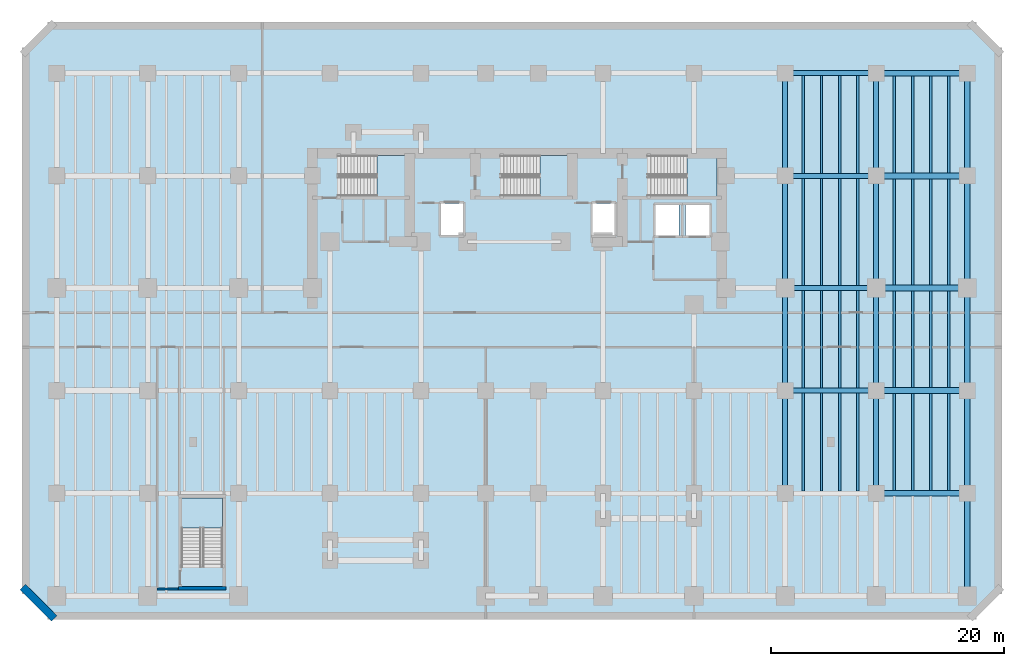
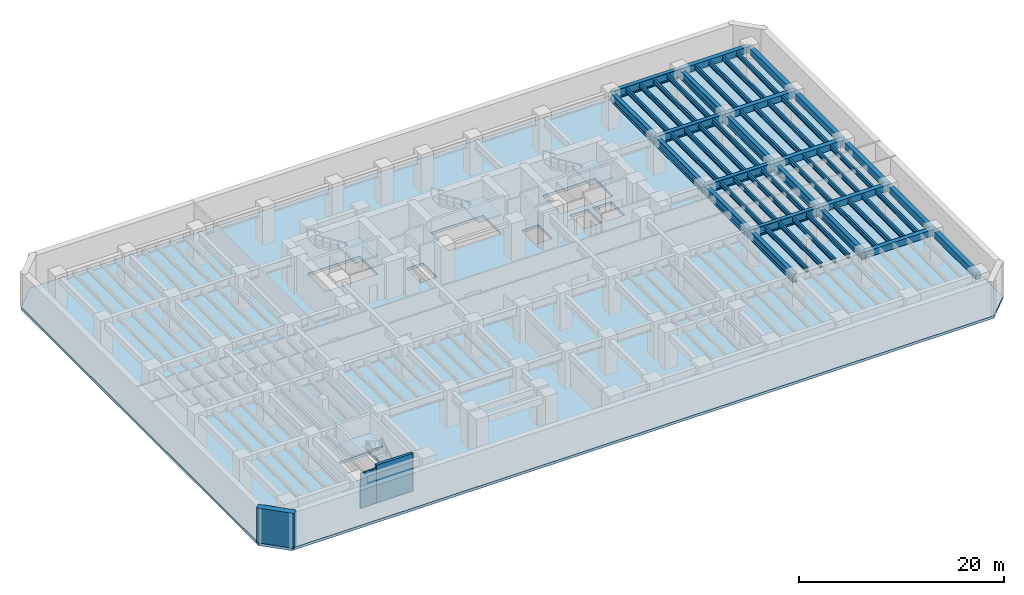
# One storey, part 3 of 9: 54 beams, 5 slabs, 3 walls, 4 elements without a shape of their own.
"""IFC4 building model written with IfcOpenShell, lengths in metres."""

from ifc_helpers import new_model, si_unit, direction, frame, frame_2d, origin, origin_2d, place, context, subcontext, project, spatial, polyline, rectangle, i_section, outline, extrude, material, layer, layer_set, material_profile, profile_set, type_object, element, aggregate, save


model = new_model("IFC4")

# Units and contexts
model_context = context("Model", 3, precision=1e-05, world=origin(), true_north=direction((0.0, 1.0)))
body_context = subcontext(model_context, "Body", "Model", "MODEL_VIEW")
ifc_project = project(units=[si_unit("LENGTHUNIT", "METRE"), si_unit("AREAUNIT", "SQUARE_METRE"), si_unit("VOLUMEUNIT", "CUBIC_METRE"), si_unit("PLANEANGLEUNIT", "RADIAN"), si_unit("MASSUNIT", "GRAM", prefix="KILO")], contexts=[model_context])

# Site, building, storey
site_placement = place(None, origin())
site = spatial("IfcSite", under=ifc_project, at=site_placement, CompositionType="ELEMENT")
building_placement = place(site_placement, origin())
building = spatial("IfcBuilding", under=site, at=building_placement, Name="Kestravale Grand Hotel", CompositionType="ELEMENT")
storey_placement = place(building_placement, frame((0.0, 0.0, -4.5)))
storey = spatial("IfcBuildingStorey", under=building, at=storey_placement, Name="B1", CompositionType="ELEMENT", Elevation=-4.5)

# Beams
ifc_material_1 = material(Name="Steel ASTM A992 Grade 50", Category="steel")
ifc_material_profile_1 = material_profile(ifc_material_1, i_section(OverallWidth=0.2099609375, OverallDepth=0.535888671875, WebThickness=0.010986328125, FlangeThickness=0.017333984375, FilletRadius=0.017578125, at=origin_2d()))
ifc_profile_set_1 = profile_set([ifc_material_profile_1], Name="Steel ASTM A992 Grade 50")
beam_type_1 = type_object("IfcBeamType", Name="B-FLR-JST21", PredefinedType="JOIST", material=ifc_profile_set_1)
for number, where, z_axis, x_axis, name in (
    (1, (63.9599609375, 11.41357421875, 3.882080078125), (0.0, 1.0, 0.0), (-1.0, 0.0, 0.0), "B1 floor joist 10-11/C-D #1"),
    (2, (65.52001953125, 11.41357421875, 3.882080078125), (0.0, 1.0, 0.0), (-1.0, 0.0, 0.0), "B1 floor joist 10-11/C-D #2"),
    (3, (67.080078125, 11.41357421875, 3.882080078125), (0.0, 1.0, 0.0), (-1.0, 0.0, 0.0), "B1 floor joist 10-11/C-D #3"),
    (4, (68.639892578125, 11.41357421875, 3.882080078125), (0.0, 1.0, 0.0), (-1.0, 0.0, 0.0), "B1 floor joist 10-11/C-D #4"),
    (5, (63.9599609375, 20.21337890625, 3.882080078125), (0.0, 1.0, 0.0), (-1.0, 0.0, 0.0), "B1 floor joist 10-11/D-E #1"),
    (6, (65.52001953125, 20.21337890625, 3.882080078125), (0.0, 1.0, 0.0), (-1.0, 0.0, 0.0), "B1 floor joist 10-11/D-E #2"),
    (7, (67.080078125, 20.21337890625, 3.882080078125), (0.0, 1.0, 0.0), (-1.0, 0.0, 0.0), "B1 floor joist 10-11/D-E #3"),
    (8, (68.639892578125, 20.21337890625, 3.882080078125), (0.0, 1.0, 0.0), (-1.0, 0.0, 0.0), "B1 floor joist 10-11/D-E #4"),
):
    element("IfcBeam", number, at=place(storey_placement, frame(where, z_axis=z_axis, x_axis=x_axis)), inside=storey, type_object=beam_type_1, Name=name, PredefinedType="JOIST", context=body_context, shape_type="SweptSolid", body=[
        extrude(i_section(OverallWidth=0.2099609375, OverallDepth=0.535888671875, WebThickness=0.010986328125, FlangeThickness=0.017333984375, FilletRadius=0.017578125, at=origin_2d()), origin(), (0.0, 0.0, 1.0), 8.373046875),
    ])
for number, where, z_axis, x_axis, name in (
    (9, (63.9599609375, 29.013427734375, 3.882080078125), (0.0, 1.0, 0.0), (-1.0, 0.0, 0.0), "B1 floor joist 10-11/E-F #1"),
    (10, (65.52001953125, 29.013427734375, 3.882080078125), (0.0, 1.0, 0.0), (-1.0, 0.0, 0.0), "B1 floor joist 10-11/E-F #2"),
    (11, (67.080078125, 29.013427734375, 3.882080078125), (0.0, 1.0, 0.0), (-1.0, 0.0, 0.0), "B1 floor joist 10-11/E-F #3"),
    (12, (68.639892578125, 29.013427734375, 3.882080078125), (0.0, 1.0, 0.0), (-1.0, 0.0, 0.0), "B1 floor joist 10-11/E-F #4"),
):
    element("IfcBeam", number, at=place(storey_placement, frame(where, z_axis=z_axis, x_axis=x_axis)), inside=storey, type_object=beam_type_1, Name=name, PredefinedType="JOIST", context=body_context, shape_type="SweptSolid", body=[
        extrude(i_section(OverallWidth=0.2099609375, OverallDepth=0.535888671875, WebThickness=0.010986328125, FlangeThickness=0.017333984375, FilletRadius=0.017578125, at=origin_2d()), origin(), (0.0, 0.0, 1.0), 9.173095703125),
    ])
for number, where, z_axis, x_axis, name in (
    (13, (63.9599609375, 38.613525390625, 3.882080078125), (0.0, 1.0, 0.0), (-1.0, 0.0, 0.0), "B1 floor joist 10-11/F-G #1"),
    (14, (65.52001953125, 38.613525390625, 3.882080078125), (0.0, 1.0, 0.0), (-1.0, 0.0, 0.0), "B1 floor joist 10-11/F-G #2"),
    (15, (67.080078125, 38.613525390625, 3.882080078125), (0.0, 1.0, 0.0), (-1.0, 0.0, 0.0), "B1 floor joist 10-11/F-G #3"),
    (16, (68.639892578125, 38.613525390625, 3.882080078125), (0.0, 1.0, 0.0), (-1.0, 0.0, 0.0), "B1 floor joist 10-11/F-G #4"),
):
    element("IfcBeam", number, at=place(storey_placement, frame(where, z_axis=z_axis, x_axis=x_axis)), inside=storey, type_object=beam_type_1, Name=name, PredefinedType="JOIST", context=body_context, shape_type="SweptSolid", body=[
        extrude(i_section(OverallWidth=0.2099609375, OverallDepth=0.535888671875, WebThickness=0.010986328125, FlangeThickness=0.017333984375, FilletRadius=0.017578125, at=origin_2d()), origin(), (0.0, 0.0, 1.0), 8.373046875),
    ])
for number, where, z_axis, x_axis, name in (
    (17, (71.760009765625, 11.449951171875, 3.882080078125), (0.0, 1.0, 0.0), (-1.0, 0.0, 0.0), "B1 floor joist 11-12/C-D #1"),
    (18, (73.320068359375, 11.449951171875, 3.882080078125), (0.0, 1.0, 0.0), (-1.0, 0.0, 0.0), "B1 floor joist 11-12/C-D #2"),
    (19, (74.8798828125, 11.449951171875, 3.882080078125), (0.0, 1.0, 0.0), (-1.0, 0.0, 0.0), "B1 floor joist 11-12/C-D #3"),
    (20, (76.43994140625, 11.449951171875, 3.882080078125), (0.0, 1.0, 0.0), (-1.0, 0.0, 0.0), "B1 floor joist 11-12/C-D #4"),
    (21, (71.760009765625, 20.25, 3.882080078125), (0.0, 1.0, 0.0), (-1.0, 0.0, 0.0), "B1 floor joist 11-12/D-E #1"),
    (22, (73.320068359375, 20.25, 3.882080078125), (0.0, 1.0, 0.0), (-1.0, 0.0, 0.0), "B1 floor joist 11-12/D-E #2"),
    (23, (74.8798828125, 20.25, 3.882080078125), (0.0, 1.0, 0.0), (-1.0, 0.0, 0.0), "B1 floor joist 11-12/D-E #3"),
    (24, (76.43994140625, 20.25, 3.882080078125), (0.0, 1.0, 0.0), (-1.0, 0.0, 0.0), "B1 floor joist 11-12/D-E #4"),
):
    element("IfcBeam", number, at=place(storey_placement, frame(where, z_axis=z_axis, x_axis=x_axis)), inside=storey, type_object=beam_type_1, Name=name, PredefinedType="JOIST", context=body_context, shape_type="SweptSolid", body=[
        extrude(i_section(OverallWidth=0.2099609375, OverallDepth=0.535888671875, WebThickness=0.010986328125, FlangeThickness=0.017333984375, FilletRadius=0.017578125, at=origin_2d()), origin(), (0.0, 0.0, 1.0), 8.300048828125),
    ])
for number, where, z_axis, x_axis, name in (
    (25, (71.760009765625, 29.050048828125, 3.882080078125), (0.0, 1.0, 0.0), (-1.0, 0.0, 0.0), "B1 floor joist 11-12/E-F #1"),
    (26, (73.320068359375, 29.050048828125, 3.882080078125), (0.0, 1.0, 0.0), (-1.0, 0.0, 0.0), "B1 floor joist 11-12/E-F #2"),
    (27, (74.8798828125, 29.050048828125, 3.882080078125), (0.0, 1.0, 0.0), (-1.0, 0.0, 0.0), "B1 floor joist 11-12/E-F #3"),
    (28, (76.43994140625, 29.050048828125, 3.882080078125), (0.0, 1.0, 0.0), (-1.0, 0.0, 0.0), "B1 floor joist 11-12/E-F #4"),
):
    element("IfcBeam", number, at=place(storey_placement, frame(where, z_axis=z_axis, x_axis=x_axis)), inside=storey, type_object=beam_type_1, Name=name, PredefinedType="JOIST", context=body_context, shape_type="SweptSolid", body=[
        extrude(i_section(OverallWidth=0.2099609375, OverallDepth=0.535888671875, WebThickness=0.010986328125, FlangeThickness=0.017333984375, FilletRadius=0.017578125, at=origin_2d()), origin(), (0.0, 0.0, 1.0), 9.099853515625),
    ])
for number, where, z_axis, x_axis, name in (
    (29, (71.760009765625, 38.64990234375, 3.882080078125), (0.0, 1.0, 0.0), (-1.0, 0.0, 0.0), "B1 floor joist 11-12/F-G #1"),
    (30, (73.320068359375, 38.64990234375, 3.882080078125), (0.0, 1.0, 0.0), (-1.0, 0.0, 0.0), "B1 floor joist 11-12/F-G #2"),
    (31, (74.8798828125, 38.64990234375, 3.882080078125), (0.0, 1.0, 0.0), (-1.0, 0.0, 0.0), "B1 floor joist 11-12/F-G #3"),
    (32, (76.43994140625, 38.64990234375, 3.882080078125), (0.0, 1.0, 0.0), (-1.0, 0.0, 0.0), "B1 floor joist 11-12/F-G #4"),
):
    element("IfcBeam", number, at=place(storey_placement, frame(where, z_axis=z_axis, x_axis=x_axis)), inside=storey, type_object=beam_type_1, Name=name, PredefinedType="JOIST", context=body_context, shape_type="SweptSolid", body=[
        extrude(i_section(OverallWidth=0.2099609375, OverallDepth=0.535888671875, WebThickness=0.010986328125, FlangeThickness=0.017333984375, FilletRadius=0.017578125, at=origin_2d()), origin(), (0.0, 0.0, 1.0), 8.300048828125),
    ])
ifc_material_2 = material(Name="Concrete f'c 45 MPa", Category="concrete")
ifc_material_profile_2 = material_profile(ifc_material_2, rectangle(XDim=0.5, YDim=0.75, at=origin_2d()))
ifc_profile_set_2 = profile_set([ifc_material_profile_2], Name="Concrete f'c 45 MPa")
beam_type_2 = type_object("IfcBeamType", Name="B-FLR-RC750", PredefinedType="SPANDREL", material=ifc_profile_set_2)
for number, where, z_axis, x_axis, name in (
    (33, (70.199951171875, 11.199951171875, 3.77490234375), (1.0, 0.0, 0.0), (0.0, 1.0, 0.0), "B1 spandrel C:11-12"),
    (34, (70.199951171875, 20.0, 3.77490234375), (1.0, 0.0, 0.0), (0.0, 1.0, 0.0), "B1 spandrel D:11-12"),
    (35, (70.199951171875, 28.800048828125, 3.77490234375), (1.0, 0.0, 0.0), (0.0, 1.0, 0.0), "B1 spandrel E:11-12"),
    (36, (70.199951171875, 38.39990234375, 3.77490234375), (1.0, 0.0, 0.0), (0.0, 1.0, 0.0), "B1 spandrel F:11-12"),
    (37, (70.199951171875, 47.199951171875, 3.77490234375), (1.0, 0.0, 0.0), (0.0, 1.0, 0.0), "B1 spandrel G:11-12"),
):
    element("IfcBeam", number, at=place(storey_placement, frame(where, z_axis=z_axis, x_axis=x_axis)), inside=storey, type_object=beam_type_2, Name=name, PredefinedType="SPANDREL", context=body_context, shape_type="SweptSolid", body=[
        extrude(rectangle(XDim=0.5, YDim=0.75, at=origin_2d()), origin(), (0.0, 0.0, 1.0), 7.800048828125),
    ])
for number, where, z_axis, x_axis, name in (
    (38, (78.0, 2.39990234375, 3.77490234375), (0.0, 1.0, 0.0), (-1.0, 0.0, 0.0), "B1 spandrel 12:B-C"),
    (39, (78.0, 11.199951171875, 3.77490234375), (0.0, 1.0, 0.0), (-1.0, 0.0, 0.0), "B1 spandrel 12:C-D"),
    (40, (78.0, 20.0, 3.77490234375), (0.0, 1.0, 0.0), (-1.0, 0.0, 0.0), "B1 spandrel 12:D-E"),
):
    element("IfcBeam", number, at=place(storey_placement, frame(where, z_axis=z_axis, x_axis=x_axis)), inside=storey, type_object=beam_type_2, Name=name, PredefinedType="SPANDREL", context=body_context, shape_type="SweptSolid", body=[
        extrude(rectangle(XDim=0.5, YDim=0.75, at=origin_2d()), origin(), (0.0, 0.0, 1.0), 8.800048828125),
    ])
beam_1_placement = place(storey_placement, frame((78.0, 28.800048828125, 3.77490234375), z_axis=(0.0, 1.0, 0.0), x_axis=(-1.0, 0.0, 0.0)))
element("IfcBeam", 41, at=beam_1_placement, inside=storey, type_object=beam_type_2, Name="B1 spandrel 12:E-F", PredefinedType="SPANDREL", context=body_context, shape_type="SweptSolid", body=[
    extrude(rectangle(XDim=0.5, YDim=0.75, at=origin_2d()), origin(), (0.0, 0.0, 1.0), 9.599853515625),
])
beam_2_placement = place(storey_placement, frame((78.0, 38.39990234375, 3.77490234375), z_axis=(0.0, 1.0, 0.0), x_axis=(-1.0, 0.0, 0.0)))
element("IfcBeam", 42, at=beam_2_placement, inside=storey, type_object=beam_type_2, Name="B1 spandrel 12:F-G", PredefinedType="SPANDREL", context=body_context, shape_type="SweptSolid", body=[
    extrude(rectangle(XDim=0.5, YDim=0.75, at=origin_2d()), origin(), (0.0, 0.0, 1.0), 8.800048828125),
])
ifc_material_3 = material(Name="Steel ASTM A992 Grade 50", Category="steel")
ifc_material_profile_3 = material_profile(ifc_material_3, i_section(OverallWidth=0.427001953125, OverallDepth=1.0400390625, WebThickness=0.031005859375, FlangeThickness=0.055908203125, FilletRadius=0.028076171875, at=origin_2d()))
ifc_profile_set_3 = profile_set([ifc_material_profile_3], Name="Steel ASTM A992 Grade 50")
beam_type_3 = type_object("IfcBeamType", Name="B-GRD-W40", PredefinedType="BEAM", material=ifc_profile_set_3)
for number, where, z_axis, x_axis, name in (
    (43, (62.39990234375, 20.0, 3.6298828125), (1.0, 0.0, 0.0), (0.0, 1.0, 0.0), "B1 girder D:10-11"),
    (44, (62.39990234375, 28.800048828125, 3.6298828125), (1.0, 0.0, 0.0), (0.0, 1.0, 0.0), "B1 girder E:10-11"),
    (45, (62.39990234375, 38.39990234375, 3.6298828125), (1.0, 0.0, 0.0), (0.0, 1.0, 0.0), "B1 girder F:10-11"),
    (46, (62.39990234375, 47.199951171875, 3.6298828125), (1.0, 0.0, 0.0), (0.0, 1.0, 0.0), "B1 girder G:10-11"),
):
    element("IfcBeam", number, at=place(storey_placement, frame(where, z_axis=z_axis, x_axis=x_axis)), inside=storey, type_object=beam_type_3, Name=name, PredefinedType="BEAM", context=body_context, shape_type="SweptSolid", body=[
        extrude(i_section(OverallWidth=0.427001953125, OverallDepth=1.0400390625, WebThickness=0.031005859375, FlangeThickness=0.055908203125, FilletRadius=0.028076171875, at=origin_2d()), origin(), (0.0, 0.0, 1.0), 7.800048828125),
    ])
for number, where, z_axis, x_axis, name in (
    (47, (62.39990234375, 11.199951171875, 3.6298828125), (0.0, 1.0, 0.0), (-1.0, 0.0, 0.0), "B1 girder 10:C-D"),
    (48, (62.39990234375, 20.0, 3.6298828125), (0.0, 1.0, 0.0), (-1.0, 0.0, 0.0), "B1 girder 10:D-E"),
):
    element("IfcBeam", number, at=place(storey_placement, frame(where, z_axis=z_axis, x_axis=x_axis)), inside=storey, type_object=beam_type_3, Name=name, PredefinedType="BEAM", context=body_context, shape_type="SweptSolid", body=[
        extrude(i_section(OverallWidth=0.427001953125, OverallDepth=1.0400390625, WebThickness=0.031005859375, FlangeThickness=0.055908203125, FilletRadius=0.028076171875, at=origin_2d()), origin(), (0.0, 0.0, 1.0), 8.800048828125),
    ])
beam_3_placement = place(storey_placement, frame((62.39990234375, 28.800048828125, 3.6298828125), z_axis=(0.0, 1.0, 0.0), x_axis=(-1.0, 0.0, 0.0)))
element("IfcBeam", 49, at=beam_3_placement, inside=storey, type_object=beam_type_3, Name="B1 girder 10:E-F", PredefinedType="BEAM", context=body_context, shape_type="SweptSolid", body=[
    extrude(i_section(OverallWidth=0.427001953125, OverallDepth=1.0400390625, WebThickness=0.031005859375, FlangeThickness=0.055908203125, FilletRadius=0.028076171875, at=origin_2d()), origin(), (0.0, 0.0, 1.0), 9.599853515625),
])
for number, where, z_axis, x_axis, name in (
    (50, (62.39990234375, 38.39990234375, 3.6298828125), (0.0, 1.0, 0.0), (-1.0, 0.0, 0.0), "B1 girder 10:F-G"),
    (51, (70.199951171875, 11.199951171875, 3.6298828125), (0.0, 1.0, 0.0), (-1.0, 0.0, 0.0), "B1 girder 11:C-D"),
    (52, (70.199951171875, 20.0, 3.6298828125), (0.0, 1.0, 0.0), (-1.0, 0.0, 0.0), "B1 girder 11:D-E"),
):
    element("IfcBeam", number, at=place(storey_placement, frame(where, z_axis=z_axis, x_axis=x_axis)), inside=storey, type_object=beam_type_3, Name=name, PredefinedType="BEAM", context=body_context, shape_type="SweptSolid", body=[
        extrude(i_section(OverallWidth=0.427001953125, OverallDepth=1.0400390625, WebThickness=0.031005859375, FlangeThickness=0.055908203125, FilletRadius=0.028076171875, at=origin_2d()), origin(), (0.0, 0.0, 1.0), 8.800048828125),
    ])
beam_4_placement = place(storey_placement, frame((70.199951171875, 28.800048828125, 3.6298828125), z_axis=(0.0, 1.0, 0.0), x_axis=(-1.0, 0.0, 0.0)))
element("IfcBeam", 53, at=beam_4_placement, inside=storey, type_object=beam_type_3, Name="B1 girder 11:E-F", PredefinedType="BEAM", context=body_context, shape_type="SweptSolid", body=[
    extrude(i_section(OverallWidth=0.427001953125, OverallDepth=1.0400390625, WebThickness=0.031005859375, FlangeThickness=0.055908203125, FilletRadius=0.028076171875, at=origin_2d()), origin(), (0.0, 0.0, 1.0), 9.599853515625),
])
beam_5_placement = place(storey_placement, frame((70.199951171875, 38.39990234375, 3.6298828125), z_axis=(0.0, 1.0, 0.0), x_axis=(-1.0, 0.0, 0.0)))
element("IfcBeam", 54, at=beam_5_placement, inside=storey, type_object=beam_type_3, Name="B1 girder 11:F-G", PredefinedType="BEAM", context=body_context, shape_type="SweptSolid", body=[
    extrude(i_section(OverallWidth=0.427001953125, OverallDepth=1.0400390625, WebThickness=0.031005859375, FlangeThickness=0.055908203125, FilletRadius=0.028076171875, at=origin_2d()), origin(), (0.0, 0.0, 1.0), 8.800048828125),
])

# Stair, slab
ifc_material_4 = material(Name="Concrete f'c 45 MPa", Category="concrete")
stair_type = type_object("IfcStairType", Name="ST-CORE-450", PredefinedType="HALF_TURN_STAIR", material=ifc_material_4)
stair_1_placement = place(storey_placement, origin())
stair_1 = element("IfcStair", 55, at=stair_1_placement, inside=storey, type_object=stair_type, Name="B1 ST-1", PredefinedType="HALF_TURN_STAIR")
ifc_material_5 = material(Name="Concrete f'c 45 MPa", Category="concrete")
ifc_layer_1 = layer(ifc_material_5, 0.199951171875)
ifc_layer_set_1 = layer_set([ifc_layer_1], Name="SLB-ST-LND200")
slab_type_1 = type_object("IfcSlabType", Name="SLB-ST-LND200", PredefinedType="LANDING", material=ifc_layer_set_1)
slab_1_placement = place(storey_placement, frame((0.0, 0.0, 2.050048828125)))
slab_1 = element("IfcSlab", 56, at=slab_1_placement, type_object=slab_type_1, Name="ST-1 landing 1", PredefinedType="LANDING", context=body_context, shape_type="SweptSolid", body=[
    extrude(outline(polyline([(27.43994140625, 36.64990234375), (30.0, 36.64990234375), (30.0, 40.159912109375), (27.43994140625, 40.159912109375), (27.43994140625, 36.64990234375)])), origin(), (0.0, 0.0, 1.0), 0.199951171875),
])
aggregate(stair_1, [slab_1])

stair_2_placement = place(storey_placement, origin())
stair_2 = element("IfcStair", 57, at=stair_2_placement, inside=storey, type_object=stair_type, Name="B1 ST-2", PredefinedType="HALF_TURN_STAIR")
slab_2_placement = place(storey_placement, frame((0.0, 0.0, 2.050048828125)))
slab_2 = element("IfcSlab", 58, at=slab_2_placement, type_object=slab_type_1, Name="ST-2 landing 1", PredefinedType="LANDING", context=body_context, shape_type="SweptSolid", body=[
    extrude(outline(polyline([(41.389892578125, 36.64990234375), (43.949951171875, 36.64990234375), (43.949951171875, 40.159912109375), (41.389892578125, 40.159912109375), (41.389892578125, 36.64990234375)])), origin(), (0.0, 0.0, 1.0), 0.199951171875),
])
aggregate(stair_2, [slab_2])

stair_3_placement = place(storey_placement, origin())
stair_3 = element("IfcStair", 59, at=stair_3_placement, inside=storey, type_object=stair_type, Name="B1 ST-3", PredefinedType="HALF_TURN_STAIR")
slab_3_placement = place(storey_placement, frame((0.0, 0.0, 2.050048828125)))
slab_3 = element("IfcSlab", 60, at=slab_3_placement, type_object=slab_type_1, Name="ST-3 landing 1", PredefinedType="LANDING", context=body_context, shape_type="SweptSolid", body=[
    extrude(outline(polyline([(53.989990234375, 36.64990234375), (56.550048828125, 36.64990234375), (56.550048828125, 40.159912109375), (53.989990234375, 40.159912109375), (53.989990234375, 36.64990234375)])), origin(), (0.0, 0.0, 1.0), 0.199951171875),
])
aggregate(stair_3, [slab_3])

stair_4_placement = place(storey_placement, origin())
stair_4 = element("IfcStair", 61, at=stair_4_placement, inside=storey, type_object=stair_type, Name="B1 ST-4", PredefinedType="HALF_TURN_STAIR")
slab_4_placement = place(storey_placement, frame((0.0, 0.0, 2.050048828125)))
slab_4 = element("IfcSlab", 62, at=slab_4_placement, type_object=slab_type_1, Name="ST-4 landing 1", PredefinedType="LANDING", context=body_context, shape_type="SweptSolid", body=[
    extrude(outline(polyline([(14.199951171875, 8.239990234375), (14.199951171875, 10.800048828125), (10.68994140625, 10.800048828125), (10.68994140625, 8.239990234375), (14.199951171875, 8.239990234375)])), origin(), (0.0, 0.0, 1.0), 0.199951171875),
])
aggregate(stair_4, [slab_4])

# Slab
ifc_material_6 = material(Name="Concrete f'c 45 MPa", Category="concrete")
ifc_layer_2 = layer(ifc_material_6, 0.320068359375)
ifc_layer_set_2 = layer_set([ifc_layer_2], Name="SS-POD-320")
slab_type_2 = type_object("IfcSlabType", Name="SS-POD-320", PredefinedType="FLOOR", material=ifc_layer_set_2)
slab_5_placement = place(storey_placement, frame((0.0, 0.0, -0.320068359375)))
element("IfcSlab", 63, at=slab_5_placement, inside=storey, type_object=slab_type_2, Name="B1 structural floor slab", PredefinedType="FLOOR", context=body_context, shape_type="SweptSolid", body=[
    extrude(outline(polyline([(-0.60009765625, 0.39990234375), (78.60009765625, 0.39990234375), (81.0, 2.800048828125), (81.0, 49.199951171875), (78.60009765625, 51.60009765625), (-0.60009765625, 51.60009765625), (-3.0, 49.199951171875), (-3.0, 2.800048828125), (-0.60009765625, 0.39990234375)]), holes=[polyline([(24.080078125, 36.64990234375), (30.0, 36.64990234375), (30.0, 40.159912109375), (24.080078125, 40.159912109375), (24.080078125, 36.64990234375)]), polyline([(38.030029296875, 36.64990234375), (43.949951171875, 36.64990234375), (43.949951171875, 40.159912109375), (38.030029296875, 40.159912109375), (38.030029296875, 36.64990234375)]), polyline([(50.6298828125, 36.64990234375), (56.550048828125, 36.64990234375), (56.550048828125, 40.159912109375), (50.6298828125, 40.159912109375), (50.6298828125, 36.64990234375)]), polyline([(14.199951171875, 4.8798828125), (14.199951171875, 10.800048828125), (10.68994140625, 10.800048828125), (10.68994140625, 4.8798828125), (14.199951171875, 4.8798828125)]), polyline([(32.905029296875, 33.35498046875), (34.794921875, 33.35498046875), (34.794921875, 36.044921875), (32.905029296875, 36.044921875), (32.905029296875, 33.35498046875)]), polyline([(45.905029296875, 33.35498046875), (47.794921875, 33.35498046875), (47.794921875, 36.044921875), (45.905029296875, 36.044921875), (45.905029296875, 33.35498046875)]), polyline([(51.280029296875, 33.280029296875), (53.320068359375, 33.280029296875), (53.320068359375, 35.919921875), (51.280029296875, 35.919921875), (51.280029296875, 33.280029296875)]), polyline([(53.8798828125, 33.280029296875), (55.919921875, 33.280029296875), (55.919921875, 35.919921875), (53.8798828125, 35.919921875), (53.8798828125, 33.280029296875)])]), origin(), (0.0, 0.0, 1.0), 0.320068359375),
])

# Walls
ifc_material_7 = material(Name="Concrete f'c 45 MPa", Category="concrete")
ifc_layer_3 = layer(ifc_material_7, 0.64990234375)
ifc_layer_set_3 = layer_set([ifc_layer_3], Name="EW-RET-650")
wall_type_1 = type_object("IfcWallType", Name="EW-RET-650", PredefinedType="USERDEFINED", material=ifc_layer_set_3)
wall_1_placement = place(storey_placement, frame((-2.92578125, 3.185302734375, 0.0), z_axis=(0.0, 0.0, 1.0), x_axis=(0.707106781187, -0.707106781187, 0.0)))
element("IfcWall", 64, at=wall_1_placement, inside=storey, type_object=wall_type_1, Name="B1 perimeter retaining wall 8", ObjectType="RETAINING WALL", PredefinedType="USERDEFINED", context=body_context, shape_type="SweptSolid", body=[
    extrude(rectangle(XDim=3.834228515625, YDim=0.64990234375, at=frame_2d((1.9169921875, 0.0))), origin(), (0.0, 0.0, 1.0), 4.14990234375),
])
ifc_material_8 = material(Name="Concrete f'c 45 MPa", Category="concrete")
ifc_layer_4 = layer(ifc_material_8, 0.300048828125)
ifc_layer_set_4 = layer_set([ifc_layer_4], Name="EW-STAIR-300")
wall_type_2 = type_object("IfcWallType", Name="EW-STAIR-300", PredefinedType="SHEAR", material=ifc_layer_set_4)
wall_2_placement = place(storey_placement, frame((10.409912109375, 3.070068359375, 0.0), z_axis=(0.0, 0.0, 1.0), x_axis=(1.0, 0.0, 0.0)))
element("IfcWall", 65, at=wall_2_placement, inside=storey, type_object=wall_type_2, Name="B1 stair enclosure shear wall ST4S", PredefinedType="SHEAR", context=body_context, shape_type="SweptSolid", body=[
    extrude(rectangle(XDim=4.070068359375, YDim=0.300048828125, at=frame_2d((2.03515625, 0.0))), origin(), (0.0, 0.0, 1.0), 4.5),
])
ifc_material_9 = material(Name="Acoustic fire-rated gypsum board partition", Category="other")
ifc_layer_5 = layer(ifc_material_9, 0.159912109375)
ifc_layer_set_5 = layer_set([ifc_layer_5], Name="IW-CORR-160")
wall_type_3 = type_object("IfcWallType", Name="IW-CORR-160", PredefinedType="PARTITIONING", material=ifc_layer_set_5)
wall_3_placement = place(storey_placement, frame((8.60009765625, 3.0, 0.0), z_axis=(0.0, 0.0, 1.0), x_axis=(1.0, 0.0, 0.0)))
element("IfcWall", 66, at=wall_3_placement, inside=storey, type_object=wall_type_3, Name="W-B1-WC-S", PredefinedType="PARTITIONING", context=body_context, shape_type="SweptSolid", body=[
    extrude(rectangle(XDim=1.789794921875, YDim=0.159912109375, at=frame_2d((0.89501953125, 0.0))), origin(), (0.0, 0.0, 1.0), 4.14990234375),
])

save(model, "model.ifc")
